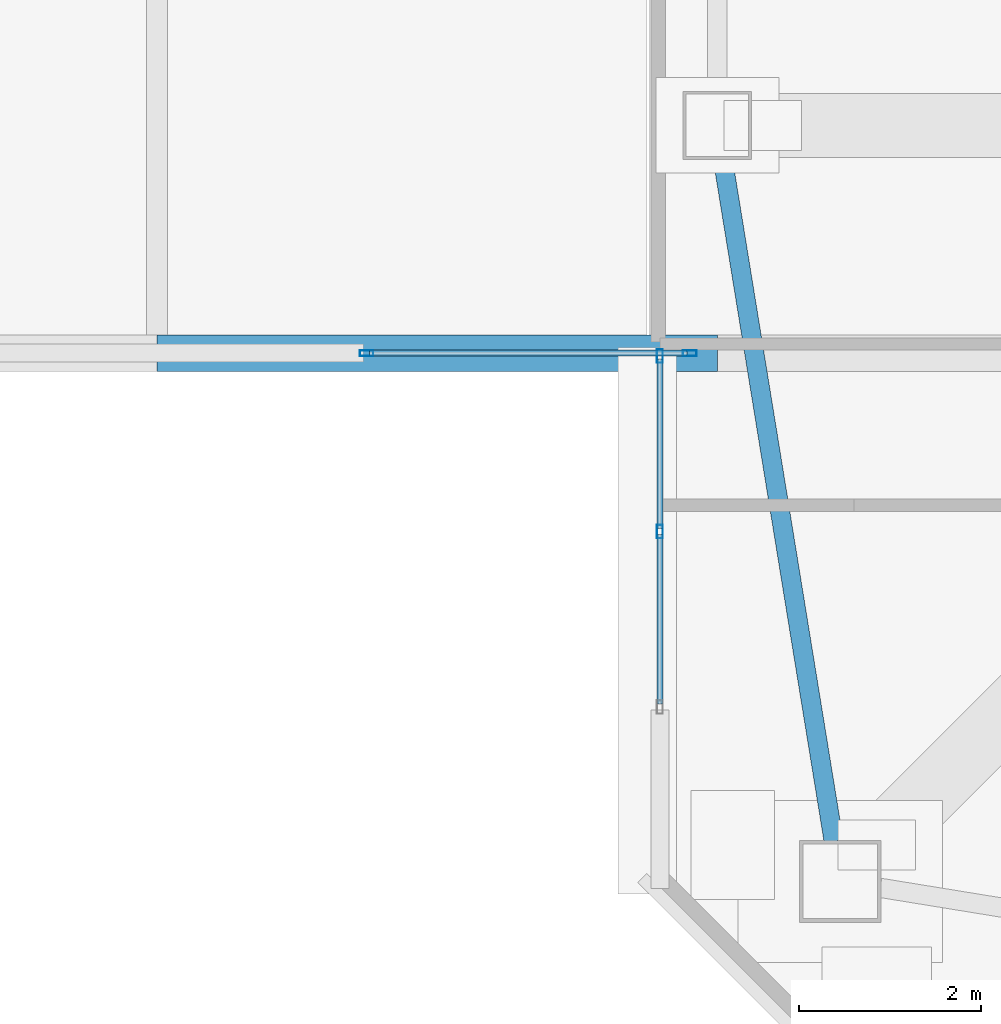
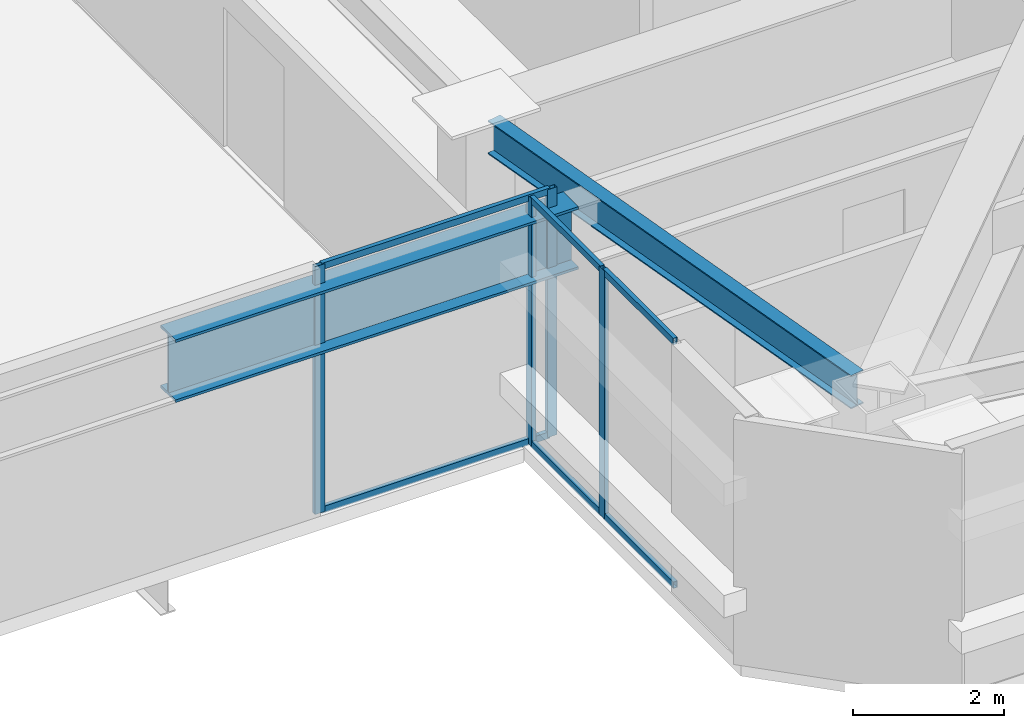
# One storey, part 5 of 51: 10 members, 2 beams, 2 elements without a shape of their own.
"""IFC4 building model written with IfcOpenShell, lengths in metres."""

import ifcopenshell
import ifcopenshell.guid

model = None  # the IFC model being written
_history = None  # IfcOwnerHistory: only IFC2X3 demands one
_inside = {}  # id of a spatial element -> (the spatial element, [elements in it])
_under = {}  # id of a project, library or spatial element -> (it, [spatial elements below it])
_declared = {}  # id of a project -> (the project, [libraries it declares])
_typed = {}  # id of a type object -> (the type object, [elements of that type])
_made_of = {}  # id of a material, layer set ... -> (it, [elements and type objects made of it])


def new_model(schema):
    """Start an empty IFC model of exactly this schema.

    Asked for "IFC4X3", IfcOpenShell would pick the latest addendum, in which some entities
    have other attributes; the version numbers below select the first issue.
    IFC2X3 requires an IfcOwnerHistory on every rooted entity: one is made here for all.
    """
    global model, _history
    if schema == "IFC4X3":
        model = ifcopenshell.file(schema_version=(4, 3, 0, 0))
    else:
        model = ifcopenshell.file(schema=schema)
    _inside.clear()
    _under.clear()
    _declared.clear()
    _typed.clear()
    _made_of.clear()
    _history = None
    if model.schema == "IFC2X3":
        org = make("IfcOrganization", Name="unknown")
        user = make(
            "IfcPersonAndOrganization",
            ThePerson=make("IfcPerson", FamilyName="unknown"),
            TheOrganization=org,
        )
        app = make(
            "IfcApplication",
            ApplicationDeveloper=org,
            Version="unknown",
            ApplicationFullName="unknown",
            ApplicationIdentifier="unknown",
        )
        _history = make(
            "IfcOwnerHistory",
            OwningUser=user,
            OwningApplication=app,
            ChangeAction="ADDED",
            CreationDate=0,
        )
    return model


def make(cls, **values):
    """One entity of the class cls with the attributes given. An attribute that is None is left unset."""
    return model.create_entity(
        cls, **{name: value for name, value in values.items() if value is not None}
    )


def rooted(cls, **values):
    """An entity with a GlobalId (a new one), such as an element, a storey or a relation."""
    return make(cls, GlobalId=ifcopenshell.guid.new(), OwnerHistory=_history, **values)


def si_unit(unit_type, name, prefix=None):
    """IfcSIUnit, for example si_unit("LENGTHUNIT", "METRE", prefix="MILLI")."""
    return make("IfcSIUnit", UnitType=unit_type, Prefix=prefix, Name=name)


def assignment(units):
    """IfcUnitAssignment: the units of a project."""
    return None if units is None else make("IfcUnitAssignment", Units=units)


def point(xyz):
    """IfcCartesianPoint."""
    return None if xyz is None else make("IfcCartesianPoint", Coordinates=xyz)


def direction(xyz):
    """IfcDirection."""
    return None if xyz is None else make("IfcDirection", DirectionRatios=xyz)


def frame(location, z_axis=None, x_axis=None):
    """IfcAxis2Placement3D, a coordinate frame: its origin and axes. An axis left out is left unset."""
    return make(
        "IfcAxis2Placement3D",
        Location=point(location),
        Axis=direction(z_axis),
        RefDirection=direction(x_axis),
    )


def frame_2d(location, x_axis=None):
    """IfcAxis2Placement2D, a coordinate frame in the plane: its origin and x axis."""
    return make(
        "IfcAxis2Placement2D", Location=point(location), RefDirection=direction(x_axis)
    )


def origin():
    """The frame at (0, 0, 0) with its axes left unset."""
    return frame((0.0, 0.0, 0.0))


def origin_2d():
    """The frame at (0, 0) in the plane with its x axis left unset."""
    return frame_2d((0.0, 0.0))


def place(relative_to, where):
    """IfcLocalPlacement: puts the frame where relative to a parent placement (None: the world)."""
    return make(
        "IfcLocalPlacement", PlacementRelTo=relative_to, RelativePlacement=where
    )


def context(
    kind, dimensions, precision=None, world=None, true_north=None, identifier=None
):
    """IfcGeometricRepresentationContext, for example the 3D "Model" context."""
    return make(
        "IfcGeometricRepresentationContext",
        ContextIdentifier=identifier,
        ContextType=kind,
        CoordinateSpaceDimension=dimensions,
        Precision=precision,
        WorldCoordinateSystem=world,
        TrueNorth=true_north,
    )


def subcontext(parent, identifier, kind, view, scale=None):
    """IfcGeometricRepresentationSubContext, for example "Body" below "Model"."""
    return make(
        "IfcGeometricRepresentationSubContext",
        ContextIdentifier=identifier,
        ContextType=kind,
        ParentContext=parent,
        TargetScale=scale,
        TargetView=view,
    )


def project(units=None, contexts=None):
    """IfcProject with its units and contexts."""
    return rooted(
        "IfcProject",
        Name="project",
        RepresentationContexts=contexts,
        UnitsInContext=assignment(units),
    )


def spatial(cls, under=None, at=None, **own):
    """A site, building, storey or space (cls), placed at a placement, below another one or the project."""
    s = rooted(cls, ObjectPlacement=at, **own)
    if under is not None:
        _under.setdefault(under.id(), (under, []))[1].append(s)
    return s


def profile(cls, at=None, kind="AREA", **sizes):
    """A parametric profile (cls). Its sizes go by their IFC names, for example OverallWidth=200.0."""
    return make(cls, ProfileType=kind, Position=at, **sizes)


def hollow_rectangle(**sizes):
    """IfcRectangleHollowProfileDef."""
    return profile("IfcRectangleHollowProfileDef", **sizes)


def i_section(**sizes):
    """IfcIShapeProfileDef."""
    return profile("IfcIShapeProfileDef", **sizes)


def extrude(swept, where, along, depth):
    """IfcExtrudedAreaSolid: the profile swept, set in the frame where, extruded along a direction by depth."""
    return make(
        "IfcExtrudedAreaSolid",
        SweptArea=swept,
        Position=where,
        ExtrudedDirection=direction(along),
        Depth=depth,
    )


def shape(context_of_items, identifier, shape_type, items):
    """IfcShapeRepresentation: the items that make up one representation, for example the "Body"."""
    return make(
        "IfcShapeRepresentation",
        ContextOfItems=context_of_items,
        RepresentationIdentifier=identifier,
        RepresentationType=shape_type,
        Items=items,
    )


def material(Name=None, Category=None):
    """IfcMaterial."""
    return make("IfcMaterial", Name=Name, Category=Category)


def material_profile(
    of_material, cross_section, Name=None, Category=None, Priority=None
):
    """IfcMaterialProfile: a cross section and its material."""
    return make(
        "IfcMaterialProfile",
        Name=Name,
        Material=of_material,
        Profile=cross_section,
        Priority=Priority,
        Category=Category,
    )


def profile_set(profiles, Name=None, composite=None):
    """IfcMaterialProfileSet."""
    return make(
        "IfcMaterialProfileSet",
        Name=Name,
        MaterialProfiles=profiles,
        CompositeProfile=composite,
    )


def made_of(thing, what):
    """Note that an element or type object is made of a material, layer set ...; save() writes the relation."""
    if what is not None:
        _made_of.setdefault(what.id(), (what, []))[1].append(thing)
    return thing


def type_object(cls, material=None, **own):
    """A type object (cls), such as IfcWallType, which elements share."""
    return made_of(rooted(cls, **own), material)


def element(
    cls,
    number,
    at=None,
    inside=None,
    cuts=None,
    type_object=None,
    material=None,
    context=None,
    identifier="Body",
    shape_type=None,
    held_by="IfcProductDefinitionShape",
    body=None,
    shapes=None,
    **own,
):
    """One element of the class cls, such as IfcWall. Its Tag is "e" and its number.

    at: its placement. inside: the storey or other place that contains it. cuts: it is an
    opening in that element (IfcRelVoidsElement). A single representation is given by context,
    identifier, shape_type and body (its items); several are given by shapes. held_by: the class
    of the entity that holds the representations. save() writes the other relations.
    """
    e = rooted(cls, Tag="e%d" % number, ObjectPlacement=at, **own)
    if body is not None:
        shapes = [shape(context, identifier, shape_type, body)]
    if shapes is not None:
        e.Representation = make(held_by, Representations=shapes)
    if inside is not None:
        _inside.setdefault(inside.id(), (inside, []))[1].append(e)
    if cuts is not None:
        rooted(
            "IfcRelVoidsElement", RelatingBuildingElement=cuts, RelatedOpeningElement=e
        )
    if type_object is not None:
        _typed.setdefault(type_object.id(), (type_object, []))[1].append(e)
    return made_of(e, material)


def aggregate(whole, parts):
    """IfcRelAggregates: a whole, such as a stair, and the parts it consists of."""
    return rooted("IfcRelAggregates", RelatingObject=whole, RelatedObjects=parts)


def save(model, path):
    """Write the relations noted so far, then the file.

    IfcRelAggregates (storeys below a building ...), IfcRelContainedInSpatialStructure (elements
    in a storey), IfcRelDefinesByType, IfcRelAssociatesMaterial and IfcRelDeclares: one each for
    every whole, place, type object, material and project.
    """
    for whole, parts in _under.values():
        aggregate(whole, parts)
    for where, things in _inside.values():
        rooted(
            "IfcRelContainedInSpatialStructure",
            RelatedElements=things,
            RelatingStructure=where,
        )
    for kind, things in _typed.values():
        rooted("IfcRelDefinesByType", RelatedObjects=things, RelatingType=kind)
    for what, things in _made_of.values():
        rooted("IfcRelAssociatesMaterial", RelatedObjects=things, RelatingMaterial=what)
    for by, libraries in _declared.values():
        rooted("IfcRelDeclares", RelatingContext=by, RelatedDefinitions=libraries)
    model.write(path)


model = new_model("IFC4")

# Units and contexts
model_context = context("Model", 3, precision=1e-05, world=origin(), true_north=direction((0.0, 1.0)))
body_context = subcontext(model_context, "Body", "Model", "MODEL_VIEW")
ifc_project = project(units=[si_unit("LENGTHUNIT", "METRE"), si_unit("AREAUNIT", "SQUARE_METRE"), si_unit("VOLUMEUNIT", "CUBIC_METRE"), si_unit("PLANEANGLEUNIT", "RADIAN"), si_unit("MASSUNIT", "GRAM", prefix="KILO")], contexts=[model_context])

# Site, building, storey
site_placement = place(None, origin())
site = spatial("IfcSite", under=ifc_project, at=site_placement, CompositionType="ELEMENT")
building_placement = place(site_placement, origin())
building = spatial("IfcBuilding", under=site, at=building_placement, Name="Tashvorn Skyway Center", CompositionType="ELEMENT")
storey_placement = place(building_placement, frame((0.0, 0.0, 259.39990234375)))
storey = spatial("IfcBuildingStorey", under=building, at=storey_placement, Name="L70", CompositionType="ELEMENT", Elevation=259.39990234375)

# Beams
ifc_material_1 = material(Name="Steel ASTM A913 Grade 65", Category="steel")
ifc_material_profile_1 = material_profile(ifc_material_1, i_section(OverallWidth=0.40087890625, OverallDepth=1.010986328125, WebThickness=0.023681640625, FlangeThickness=0.0419921875, at=origin_2d()), Name="W40X297")
ifc_profile_set_1 = profile_set([ifc_material_profile_1], Name="Steel ASTM A913 Grade 65")
beam_type_1 = type_object("IfcBeamType", Name="BM-BEAM-W40X297", PredefinedType="BEAM", material=ifc_profile_set_1)
beam_1_placement = place(storey_placement, frame((20.800048828125, 24.10009765625, 3.194580078125), z_axis=(1.0, 0.0, 0.0), x_axis=(0.0, 1.0, 0.0)))
element("IfcBeam", 1, at=beam_1_placement, inside=storey, type_object=beam_type_1, Name="Sky-Park Truss 1 Top Chord Panel 04", PredefinedType="BEAM", context=body_context, shape_type="SweptSolid", body=[
    extrude(i_section(OverallWidth=0.40087890625, OverallDepth=1.010986328125, WebThickness=0.023681640625, FlangeThickness=0.0419921875, at=origin_2d()), origin(), (0.0, 0.0, 1.0), 6.14990234375),
])
ifc_material_2 = material(Name="Steel ASTM A992 Grade 50", Category="steel")
ifc_material_profile_2 = material_profile(ifc_material_2, i_section(OverallWidth=0.2109375, OverallDepth=0.5390625, WebThickness=0.01171875, FlangeThickness=0.018798828125, at=origin_2d()), Name="W21X73")
ifc_profile_set_2 = profile_set([ifc_material_profile_2], Name="Steel ASTM A992 Grade 50")
beam_type_2 = type_object("IfcBeamType", Name="BM-SPANDREL-W21X73", PredefinedType="SPANDREL", material=ifc_profile_set_2)
beam_2_placement = place(storey_placement, frame((27.009521484375, 26.23486328125, 3.4306640625), z_axis=(0.160519005885, -0.987032749583, 0.0), x_axis=(0.987032749583, 0.160519005885, 0.0)))
element("IfcBeam", 2, at=beam_2_placement, inside=storey, type_object=beam_type_2, Name="Tower 1 L70 Spandrel Beam 12", PredefinedType="SPANDREL", context=body_context, shape_type="SweptSolid", body=[
    extrude(i_section(OverallWidth=0.2109375, OverallDepth=0.5390625, WebThickness=0.01171875, FlangeThickness=0.018798828125, at=origin_2d()), origin(), (0.0, 0.0, 1.0), 7.593994140625),
])

# Curtain wall, members
ifc_material_3 = material(Name="Thermally broken bronze-anodized aluminium 6063-T6", Category="aluminium")
curtain_wall_type = type_object("IfcCurtainWallType", Name="CW-CW-SKY", PredefinedType="NOTDEFINED", material=ifc_material_3)
curtain_wall_1_placement = place(storey_placement, origin())
curtain_wall_1 = element("IfcCurtainWall", 3, at=curtain_wall_1_placement, inside=storey, type_object=curtain_wall_type, Name="Tower 1 L70 West Curtain Wall A Glazing Group 1", PredefinedType="NOTDEFINED")
ifc_material_profile_3 = material_profile(ifc_material_3, hollow_rectangle(XDim=0.06494140625, YDim=0.14990234375, WallThickness=0.00390625, at=origin_2d()), Name="ALU-MULL-65x150")
ifc_profile_set_3 = profile_set([ifc_material_profile_3], Name="Thermally broken bronze-anodized aluminium 6063-T6")
member_type_1 = type_object("IfcMemberType", Name="CWM-CW-SKY", PredefinedType="MULLION", material=ifc_profile_set_3)
member_1_placement = place(storey_placement, frame((26.320068359375, 22.139892578125, 0.0), z_axis=(0.0, 0.0, 1.0), x_axis=(-1.0, 0.0, 0.0)))
member_1 = element("IfcMember", 4, at=member_1_placement, type_object=member_type_1, Name="CW-SKY mullion 2", PredefinedType="MULLION", context=body_context, shape_type="SweptSolid", body=[
    extrude(hollow_rectangle(XDim=0.06494140625, YDim=0.14990234375, WallThickness=0.00390625, at=origin_2d()), origin(), (0.0, 0.0, 1.0), 4.0),
])
member_2_placement = place(storey_placement, frame((26.320068359375, 24.0673828125, 0.0), z_axis=(0.0, 0.0, 1.0), x_axis=(-1.0, 0.0, 0.0)))
member_2 = element("IfcMember", 5, at=member_2_placement, type_object=member_type_1, Name="CW-SKY mullion 3", PredefinedType="MULLION", context=body_context, shape_type="SweptSolid", body=[
    extrude(hollow_rectangle(XDim=0.06494140625, YDim=0.14990234375, WallThickness=0.00390625, at=origin_2d()), origin(), (0.0, 0.0, 1.0), 4.0),
])

curtain_wall_2_placement = place(storey_placement, origin())
curtain_wall_2 = element("IfcCurtainWall", 6, at=curtain_wall_2_placement, inside=storey, type_object=curtain_wall_type, Name="Sky-Park L70 Cantilever Gallery South Curtain Wall Glazing Group 1", PredefinedType="NOTDEFINED")
member_3_placement = place(storey_placement, frame((26.6474609375, 24.10009765625, 0.0), z_axis=(0.0, 0.0, 1.0), x_axis=(0.0, -1.0, 0.0)))
member_3 = element("IfcMember", 7, at=member_3_placement, type_object=member_type_1, Name="CW-SKY mullion 1", PredefinedType="MULLION", context=body_context, shape_type="SweptSolid", body=[
    extrude(hollow_rectangle(XDim=0.06494140625, YDim=0.14990234375, WallThickness=0.00390625, at=origin_2d()), origin(), (0.0, 0.0, 1.0), 4.0),
])
member_4_placement = place(storey_placement, frame((23.09912109375, 24.10009765625, 0.0), z_axis=(0.0, 0.0, 1.0), x_axis=(0.0, -1.0, 0.0)))
member_4 = element("IfcMember", 8, at=member_4_placement, type_object=member_type_1, Name="CW-SKY mullion 2", PredefinedType="MULLION", context=body_context, shape_type="SweptSolid", body=[
    extrude(hollow_rectangle(XDim=0.06494140625, YDim=0.14990234375, WallThickness=0.00390625, at=origin_2d()), origin(), (0.0, 0.0, 1.0), 4.0),
])

# Member
ifc_material_profile_4 = material_profile(ifc_material_3, hollow_rectangle(XDim=0.06494140625, YDim=0.10498046875, WallThickness=0.00390625, at=origin_2d()), Name="ALU-TRAN-65x105")
ifc_profile_set_4 = profile_set([ifc_material_profile_4], Name="Thermally broken bronze-anodized aluminium 6063-T6")
member_type_2 = type_object("IfcMemberType", Name="CWT-CW-SKY", PredefinedType="USERDEFINED", material=ifc_profile_set_4)
member_5_placement = place(storey_placement, frame((26.320068359375, 20.2451171875, 0.03271484375), z_axis=(0.0, 1.0, 0.0), x_axis=(-1.0, 0.0, 0.0)))
member_5 = element("IfcMember", 9, at=member_5_placement, type_object=member_type_2, Name="CW-SKY transom 1.1", ObjectType="TRANSOM", PredefinedType="USERDEFINED", context=body_context, shape_type="SweptSolid", body=[
    extrude(hollow_rectangle(XDim=0.06494140625, YDim=0.10498046875, WallThickness=0.00390625, at=origin_2d()), origin(), (0.0, 0.0, 1.0), 1.8623046875),
])

member_6_placement = place(storey_placement, frame((26.320068359375, 20.2451171875, 3.967529296875), z_axis=(0.0, 1.0, 0.0), x_axis=(-1.0, 0.0, 0.0)))
member_6 = element("IfcMember", 10, at=member_6_placement, type_object=member_type_2, Name="CW-SKY transom 1.2", ObjectType="TRANSOM", PredefinedType="USERDEFINED", context=body_context, shape_type="SweptSolid", body=[
    extrude(hollow_rectangle(XDim=0.06494140625, YDim=0.10498046875, WallThickness=0.00390625, at=origin_2d()), origin(), (0.0, 0.0, 1.0), 1.8623046875),
])

member_7_placement = place(storey_placement, frame((26.320068359375, 22.172607421875, 0.03271484375), z_axis=(0.0, 1.0, 0.0), x_axis=(-1.0, 0.0, 0.0)))
member_7 = element("IfcMember", 11, at=member_7_placement, type_object=member_type_2, Name="CW-SKY transom 2.1", ObjectType="TRANSOM", PredefinedType="USERDEFINED", context=body_context, shape_type="SweptSolid", body=[
    extrude(hollow_rectangle(XDim=0.06494140625, YDim=0.10498046875, WallThickness=0.00390625, at=origin_2d()), origin(), (0.0, 0.0, 1.0), 1.8623046875),
])

member_8_placement = place(storey_placement, frame((26.320068359375, 22.172607421875, 3.967529296875), z_axis=(0.0, 1.0, 0.0), x_axis=(-1.0, 0.0, 0.0)))
member_8 = element("IfcMember", 12, at=member_8_placement, type_object=member_type_2, Name="CW-SKY transom 2.2", ObjectType="TRANSOM", PredefinedType="USERDEFINED", context=body_context, shape_type="SweptSolid", body=[
    extrude(hollow_rectangle(XDim=0.06494140625, YDim=0.10498046875, WallThickness=0.00390625, at=origin_2d()), origin(), (0.0, 0.0, 1.0), 1.8623046875),
])

aggregate(curtain_wall_1, [member_1, member_2, member_5, member_6, member_7, member_8])

member_9_placement = place(storey_placement, frame((26.614990234375, 24.10009765625, 0.03271484375), z_axis=(-1.0, 0.0, 0.0), x_axis=(0.0, -1.0, 0.0)))
member_9 = element("IfcMember", 13, at=member_9_placement, type_object=member_type_2, Name="CW-SKY transom 1.1", ObjectType="TRANSOM", PredefinedType="USERDEFINED", context=body_context, shape_type="SweptSolid", body=[
    extrude(hollow_rectangle(XDim=0.06494140625, YDim=0.10498046875, WallThickness=0.00390625, at=origin_2d()), origin(), (0.0, 0.0, 1.0), 3.4833984375),
])

member_10_placement = place(storey_placement, frame((26.614990234375, 24.10009765625, 3.967529296875), z_axis=(-1.0, 0.0, 0.0), x_axis=(0.0, -1.0, 0.0)))
member_10 = element("IfcMember", 14, at=member_10_placement, type_object=member_type_2, Name="CW-SKY transom 1.2", ObjectType="TRANSOM", PredefinedType="USERDEFINED", context=body_context, shape_type="SweptSolid", body=[
    extrude(hollow_rectangle(XDim=0.06494140625, YDim=0.10498046875, WallThickness=0.00390625, at=origin_2d()), origin(), (0.0, 0.0, 1.0), 3.4833984375),
])

aggregate(curtain_wall_2, [member_3, member_4, member_9, member_10])

save(model, "model.ifc")
